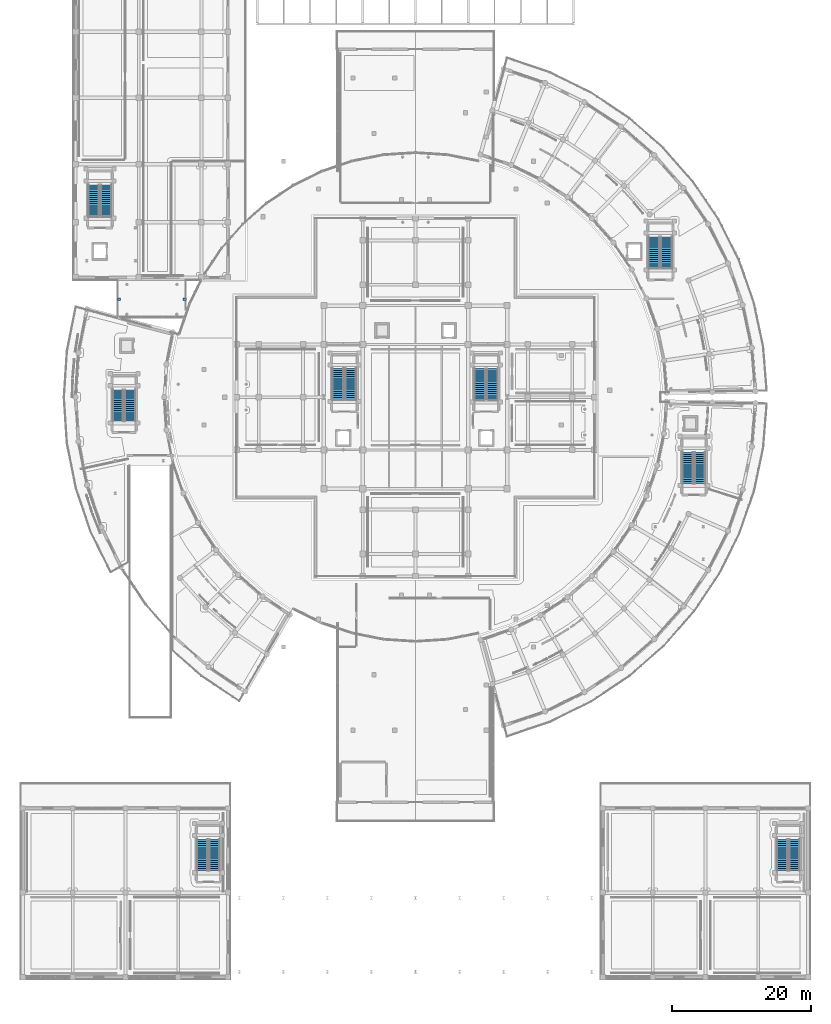
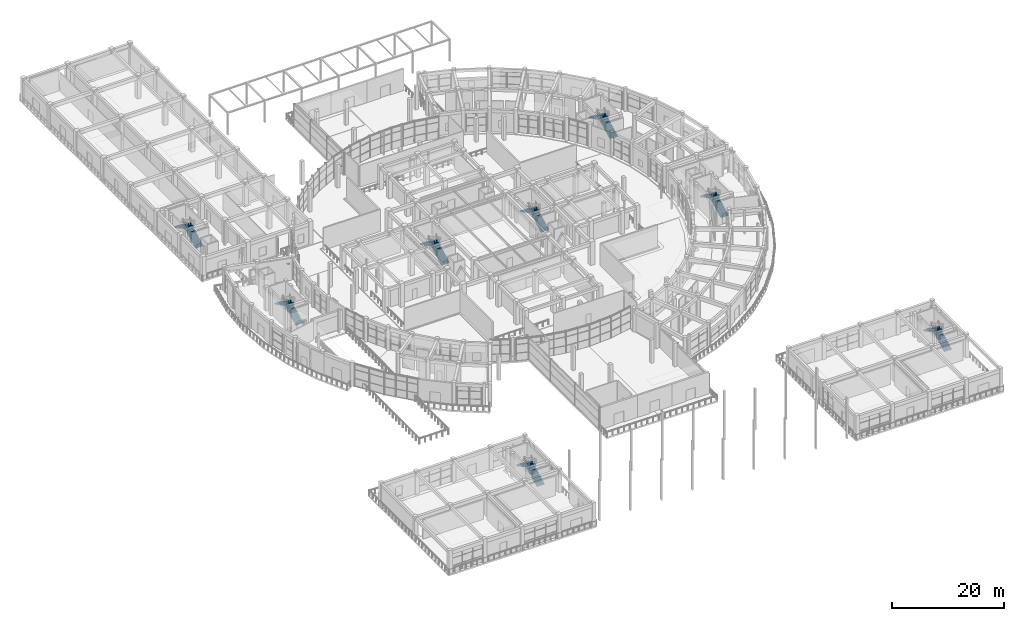
# One storey, part 76 of 99: 16 stair flights, 2 discrete accessories, 8 elements without a shape of their own.
"""IFC4 building model written with IfcOpenShell, lengths in metres."""

from ifc_helpers import new_model, si_unit, direction, frame, origin, origin_2d, place, context, subcontext, project, spatial, polyline, rectangle, outline, extrude, material, type_object, element, aggregate, save


model = new_model("IFC4")

# Units and contexts
model_context = context("Model", 3, precision=1e-05, world=origin(), true_north=direction((0.0, 1.0)))
body_context = subcontext(model_context, "Body", "Model", "MODEL_VIEW")
ifc_project = project(units=[si_unit("LENGTHUNIT", "METRE"), si_unit("AREAUNIT", "SQUARE_METRE"), si_unit("VOLUMEUNIT", "CUBIC_METRE"), si_unit("PLANEANGLEUNIT", "RADIAN"), si_unit("MASSUNIT", "GRAM", prefix="KILO")], contexts=[model_context])

# Site, building, storey
site_placement = place(None, origin())
site = spatial("IfcSite", under=ifc_project, at=site_placement, CompositionType="ELEMENT")
building_placement = place(site_placement, origin())
building = spatial("IfcBuilding", under=site, at=building_placement, Name="Saryqyr Civic Hall", CompositionType="ELEMENT")
storey_placement = place(building_placement, origin())
storey = spatial("IfcBuildingStorey", under=building, at=storey_placement, Name="L00", CompositionType="ELEMENT", Elevation=0.0)

# Stair, stair flights
ifc_material_1 = material(Name="Concrete C35/45", Category="concrete")
stair_type_1 = type_object("IfcStairType", Name="INT-STR-ST-1", PredefinedType="HALF_TURN_STAIR", material=ifc_material_1)
stair_1_placement = place(storey_placement, origin())
stair_1 = element("IfcStair", 1, at=stair_1_placement, inside=storey, type_object=stair_type_1, Name="L00 Protected Exit Stair ST-1", PredefinedType="HALF_TURN_STAIR")
stair_flight_type_1 = type_object("IfcStairFlightType", Name="INT-SFL-ST-1", PredefinedType="STRAIGHT", material=ifc_material_1)
stair_flight_1_placement = place(storey_placement, frame((47.675048828125, 83.64990234375, 0.0), z_axis=(0.0, 0.0, 1.0), x_axis=(0.0, 1.0, 0.0)))
stair_flight_1 = element("IfcStairFlight", 2, at=stair_flight_1_placement, type_object=stair_flight_type_1, Name="ST-1 flight 1", NumberOfRisers=16, NumberOfTreads=15, PredefinedType="STRAIGHT", RiserHeight=0.159375, TreadLength=0.3, context=body_context, shape_type="SweptSolid", body=[
    extrude(outline(polyline([(0.0, 0.0), (0.0, 0.159423828125), (0.300048828125, 0.159423828125), (0.300048828125, 0.31884765625), (0.60009765625, 0.31884765625), (0.60009765625, 0.47802734375), (0.89990234375, 0.47802734375), (0.89990234375, 0.637451171875), (1.199951171875, 0.637451171875), (1.199951171875, 0.796875), (1.5, 0.796875), (1.5, 0.956298828125), (1.800048828125, 0.956298828125), (1.800048828125, 1.11572265625), (2.10009765625, 1.11572265625), (2.10009765625, 1.27490234375), (2.39990234375, 1.27490234375), (2.39990234375, 1.434326171875), (2.699951171875, 1.434326171875), (2.699951171875, 1.59375), (3.0, 1.59375), (3.0, 1.753173828125), (3.300048828125, 1.753173828125), (3.300048828125, 1.91259765625), (3.60009765625, 1.91259765625), (3.60009765625, 2.07177734375), (3.89990234375, 2.07177734375), (3.89990234375, 2.231201171875), (4.199951171875, 2.231201171875), (4.199951171875, 2.390625), (4.5, 2.390625), (4.5, 2.550048828125), (4.5, 2.220947265625), (0.319580078125, 0.0), (0.0, 0.0)])), frame((0.0, 0.824951171875, 0.0), z_axis=(0.0, -1.0, 0.0), x_axis=(1.0, 0.0, 0.0)), (0.0, 0.0, 1.0), 1.64990234375),
])
stair_flight_2_placement = place(storey_placement, frame((45.824951171875, 88.14990234375, 2.550048828125), z_axis=(0.0, 0.0, 1.0), x_axis=(0.0, -1.0, 0.0)))
stair_flight_2 = element("IfcStairFlight", 3, at=stair_flight_2_placement, type_object=stair_flight_type_1, Name="ST-1 flight 2", NumberOfRisers=16, NumberOfTreads=15, PredefinedType="STRAIGHT", RiserHeight=0.159375, TreadLength=0.3, context=body_context, shape_type="SweptSolid", body=[
    extrude(outline(polyline([(0.0, 0.0), (0.0, 0.159423828125), (0.300048828125, 0.159423828125), (0.300048828125, 0.31884765625), (0.60009765625, 0.31884765625), (0.60009765625, 0.47802734375), (0.89990234375, 0.47802734375), (0.89990234375, 0.637451171875), (1.199951171875, 0.637451171875), (1.199951171875, 0.796875), (1.5, 0.796875), (1.5, 0.956298828125), (1.800048828125, 0.956298828125), (1.800048828125, 1.11572265625), (2.10009765625, 1.11572265625), (2.10009765625, 1.27490234375), (2.39990234375, 1.27490234375), (2.39990234375, 1.434326171875), (2.699951171875, 1.434326171875), (2.699951171875, 1.59375), (3.0, 1.59375), (3.0, 1.753173828125), (3.300048828125, 1.753173828125), (3.300048828125, 1.91259765625), (3.60009765625, 1.91259765625), (3.60009765625, 2.07177734375), (3.89990234375, 2.07177734375), (3.89990234375, 2.231201171875), (4.199951171875, 2.231201171875), (4.199951171875, 2.390625), (4.5, 2.390625), (4.5, 2.550048828125), (4.5, 2.220947265625), (0.319580078125, 0.0), (0.0, 0.0)])), frame((0.0, 0.824951171875, 0.0), z_axis=(0.0, -1.0, 0.0), x_axis=(1.0, 0.0, 0.0)), (0.0, 0.0, 1.0), 1.64990234375),
])
aggregate(stair_1, [stair_flight_1, stair_flight_2])

stair_type_2 = type_object("IfcStairType", Name="INT-STR-ST-2", PredefinedType="HALF_TURN_STAIR", material=ifc_material_1)
stair_2_placement = place(storey_placement, origin())
stair_2 = element("IfcStair", 4, at=stair_2_placement, inside=storey, type_object=stair_type_2, Name="L00 Protected Exit Stair ST-2", PredefinedType="HALF_TURN_STAIR")
stair_flight_type_2 = type_object("IfcStairFlightType", Name="INT-SFL-ST-2", PredefinedType="STRAIGHT", material=ifc_material_1)
stair_flight_3_placement = place(storey_placement, frame((68.10009765625, 83.60009765625, 0.0), z_axis=(0.0, 0.0, 1.0), x_axis=(0.0, 1.0, 0.0)))
stair_flight_3 = element("IfcStairFlight", 5, at=stair_flight_3_placement, type_object=stair_flight_type_2, Name="ST-2 flight 1", NumberOfRisers=16, NumberOfTreads=15, PredefinedType="STRAIGHT", RiserHeight=0.159375, TreadLength=0.3, context=body_context, shape_type="SweptSolid", body=[
    extrude(outline(polyline([(0.0, 0.0), (0.0, 0.159423828125), (0.300048828125, 0.159423828125), (0.300048828125, 0.31884765625), (0.60009765625, 0.31884765625), (0.60009765625, 0.47802734375), (0.89990234375, 0.47802734375), (0.89990234375, 0.637451171875), (1.199951171875, 0.637451171875), (1.199951171875, 0.796875), (1.5, 0.796875), (1.5, 0.956298828125), (1.800048828125, 0.956298828125), (1.800048828125, 1.11572265625), (2.10009765625, 1.11572265625), (2.10009765625, 1.27490234375), (2.39990234375, 1.27490234375), (2.39990234375, 1.434326171875), (2.699951171875, 1.434326171875), (2.699951171875, 1.59375), (3.0, 1.59375), (3.0, 1.753173828125), (3.300048828125, 1.753173828125), (3.300048828125, 1.91259765625), (3.60009765625, 1.91259765625), (3.60009765625, 2.07177734375), (3.89990234375, 2.07177734375), (3.89990234375, 2.231201171875), (4.199951171875, 2.231201171875), (4.199951171875, 2.390625), (4.5, 2.390625), (4.5, 2.550048828125), (4.5, 2.220947265625), (0.319580078125, 0.0), (0.0, 0.0)])), frame((0.0, 0.800048828125, 0.0), z_axis=(0.0, -1.0, 0.0), x_axis=(1.0, 0.0, 0.0)), (0.0, 0.0, 1.0), 1.60009765625),
])
stair_flight_4_placement = place(storey_placement, frame((66.300048828125, 88.10009765625, 2.550048828125), z_axis=(0.0, 0.0, 1.0), x_axis=(0.0, -1.0, 0.0)))
stair_flight_4 = element("IfcStairFlight", 6, at=stair_flight_4_placement, type_object=stair_flight_type_2, Name="ST-2 flight 2", NumberOfRisers=16, NumberOfTreads=15, PredefinedType="STRAIGHT", RiserHeight=0.159375, TreadLength=0.3, context=body_context, shape_type="SweptSolid", body=[
    extrude(outline(polyline([(0.0, 0.0), (0.0, 0.159423828125), (0.300048828125, 0.159423828125), (0.300048828125, 0.31884765625), (0.60009765625, 0.31884765625), (0.60009765625, 0.47802734375), (0.89990234375, 0.47802734375), (0.89990234375, 0.637451171875), (1.199951171875, 0.637451171875), (1.199951171875, 0.796875), (1.5, 0.796875), (1.5, 0.956298828125), (1.800048828125, 0.956298828125), (1.800048828125, 1.11572265625), (2.10009765625, 1.11572265625), (2.10009765625, 1.27490234375), (2.39990234375, 1.27490234375), (2.39990234375, 1.434326171875), (2.699951171875, 1.434326171875), (2.699951171875, 1.59375), (3.0, 1.59375), (3.0, 1.753173828125), (3.300048828125, 1.753173828125), (3.300048828125, 1.91259765625), (3.60009765625, 1.91259765625), (3.60009765625, 2.07177734375), (3.89990234375, 2.07177734375), (3.89990234375, 2.231201171875), (4.199951171875, 2.231201171875), (4.199951171875, 2.390625), (4.5, 2.390625), (4.5, 2.550048828125), (4.5, 2.220947265625), (0.319580078125, 0.0), (0.0, 0.0)])), frame((0.0, 0.800048828125, 0.0), z_axis=(0.0, -1.0, 0.0), x_axis=(1.0, 0.0, 0.0)), (0.0, 0.0, 1.0), 1.60009765625),
])
aggregate(stair_2, [stair_flight_3, stair_flight_4])

stair_type_3 = type_object("IfcStairType", Name="INT-STR-ST-3", PredefinedType="HALF_TURN_STAIR", material=ifc_material_1)
stair_3_placement = place(storey_placement, origin())
stair_3 = element("IfcStair", 7, at=stair_3_placement, inside=storey, type_object=stair_type_3, Name="L00 Protected Exit Stair ST-3", PredefinedType="HALF_TURN_STAIR")
stair_flight_type_3 = type_object("IfcStairFlightType", Name="INT-SFL-ST-3", PredefinedType="STRAIGHT", material=ifc_material_1)
stair_flight_5_placement = place(storey_placement, frame((12.409912109375, 110.080078125, 0.0), z_axis=(0.0, 0.0, 1.0), x_axis=(0.0, 1.0, 0.0)))
stair_flight_5 = element("IfcStairFlight", 8, at=stair_flight_5_placement, type_object=stair_flight_type_3, Name="ST-3 flight 1", NumberOfRisers=16, NumberOfTreads=15, PredefinedType="STRAIGHT", RiserHeight=0.159375, TreadLength=0.3, context=body_context, shape_type="SweptSolid", body=[
    extrude(outline(polyline([(0.0, 0.0), (0.0, 0.159423828125), (0.300048828125, 0.159423828125), (0.300048828125, 0.31884765625), (0.60009765625, 0.31884765625), (0.60009765625, 0.47802734375), (0.89990234375, 0.47802734375), (0.89990234375, 0.637451171875), (1.199951171875, 0.637451171875), (1.199951171875, 0.796875), (1.5, 0.796875), (1.5, 0.956298828125), (1.800048828125, 0.956298828125), (1.800048828125, 1.11572265625), (2.10009765625, 1.11572265625), (2.10009765625, 1.27490234375), (2.39990234375, 1.27490234375), (2.39990234375, 1.434326171875), (2.699951171875, 1.434326171875), (2.699951171875, 1.59375), (3.0, 1.59375), (3.0, 1.753173828125), (3.300048828125, 1.753173828125), (3.300048828125, 1.91259765625), (3.60009765625, 1.91259765625), (3.60009765625, 2.07177734375), (3.89990234375, 2.07177734375), (3.89990234375, 2.231201171875), (4.199951171875, 2.231201171875), (4.199951171875, 2.390625), (4.5, 2.390625), (4.5, 2.550048828125), (4.5, 2.220947265625), (0.319580078125, 0.0), (0.0, 0.0)])), frame((0.0, 0.7900390625, 0.0), z_axis=(0.0, -1.0, 0.0), x_axis=(1.0, 0.0, 0.0)), (0.0, 0.0, 1.0), 1.580078125),
])
stair_flight_6_placement = place(storey_placement, frame((10.6298828125, 114.580078125, 2.550048828125), z_axis=(0.0, 0.0, 1.0), x_axis=(0.0, -1.0, 0.0)))
stair_flight_6 = element("IfcStairFlight", 9, at=stair_flight_6_placement, type_object=stair_flight_type_3, Name="ST-3 flight 2", NumberOfRisers=16, NumberOfTreads=15, PredefinedType="STRAIGHT", RiserHeight=0.159375, TreadLength=0.3, context=body_context, shape_type="SweptSolid", body=[
    extrude(outline(polyline([(0.0, 0.0), (0.0, 0.159423828125), (0.300048828125, 0.159423828125), (0.300048828125, 0.31884765625), (0.60009765625, 0.31884765625), (0.60009765625, 0.47802734375), (0.89990234375, 0.47802734375), (0.89990234375, 0.637451171875), (1.199951171875, 0.637451171875), (1.199951171875, 0.796875), (1.5, 0.796875), (1.5, 0.956298828125), (1.800048828125, 0.956298828125), (1.800048828125, 1.11572265625), (2.10009765625, 1.11572265625), (2.10009765625, 1.27490234375), (2.39990234375, 1.27490234375), (2.39990234375, 1.434326171875), (2.699951171875, 1.434326171875), (2.699951171875, 1.59375), (3.0, 1.59375), (3.0, 1.753173828125), (3.300048828125, 1.753173828125), (3.300048828125, 1.91259765625), (3.60009765625, 1.91259765625), (3.60009765625, 2.07177734375), (3.89990234375, 2.07177734375), (3.89990234375, 2.231201171875), (4.199951171875, 2.231201171875), (4.199951171875, 2.390625), (4.5, 2.390625), (4.5, 2.550048828125), (4.5, 2.220947265625), (0.319580078125, 0.0), (0.0, 0.0)])), frame((0.0, 0.7900390625, 0.0), z_axis=(0.0, -1.0, 0.0), x_axis=(1.0, 0.0, 0.0)), (0.0, 0.0, 1.0), 1.580078125),
])
aggregate(stair_3, [stair_flight_5, stair_flight_6])

stair_type_4 = type_object("IfcStairType", Name="INT-STR-ST-4", PredefinedType="HALF_TURN_STAIR", material=ifc_material_1)
stair_4_placement = place(storey_placement, origin())
stair_4 = element("IfcStair", 10, at=stair_4_placement, inside=storey, type_object=stair_type_4, Name="L00 Protected Exit Stair ST-4", PredefinedType="HALF_TURN_STAIR")
stair_flight_type_4 = type_object("IfcStairFlightType", Name="INT-SFL-ST-4", PredefinedType="STRAIGHT", material=ifc_material_1)
stair_flight_7_placement = place(storey_placement, frame((15.875, 80.550048828125, 0.0), z_axis=(0.0, 0.0, 1.0), x_axis=(0.0, 1.0, 0.0)))
stair_flight_7 = element("IfcStairFlight", 11, at=stair_flight_7_placement, type_object=stair_flight_type_4, Name="ST-4 flight 1", NumberOfRisers=16, NumberOfTreads=15, PredefinedType="STRAIGHT", RiserHeight=0.159375, TreadLength=0.3, context=body_context, shape_type="SweptSolid", body=[
    extrude(outline(polyline([(0.0, 0.0), (0.0, 0.159423828125), (0.300048828125, 0.159423828125), (0.300048828125, 0.31884765625), (0.60009765625, 0.31884765625), (0.60009765625, 0.47802734375), (0.89990234375, 0.47802734375), (0.89990234375, 0.637451171875), (1.199951171875, 0.637451171875), (1.199951171875, 0.796875), (1.5, 0.796875), (1.5, 0.956298828125), (1.800048828125, 0.956298828125), (1.800048828125, 1.11572265625), (2.10009765625, 1.11572265625), (2.10009765625, 1.27490234375), (2.39990234375, 1.27490234375), (2.39990234375, 1.434326171875), (2.699951171875, 1.434326171875), (2.699951171875, 1.59375), (3.0, 1.59375), (3.0, 1.753173828125), (3.300048828125, 1.753173828125), (3.300048828125, 1.91259765625), (3.60009765625, 1.91259765625), (3.60009765625, 2.07177734375), (3.89990234375, 2.07177734375), (3.89990234375, 2.231201171875), (4.199951171875, 2.231201171875), (4.199951171875, 2.390625), (4.5, 2.390625), (4.5, 2.550048828125), (4.5, 2.220947265625), (0.319580078125, 0.0), (0.0, 0.0)])), frame((0.0, 0.77490234375, 0.0), z_axis=(0.0, -1.0, 0.0), x_axis=(1.0, 0.0, 0.0)), (0.0, 0.0, 1.0), 1.550048828125),
])
stair_flight_8_placement = place(storey_placement, frame((14.125, 85.050048828125, 2.550048828125), z_axis=(0.0, 0.0, 1.0), x_axis=(0.0, -1.0, 0.0)))
stair_flight_8 = element("IfcStairFlight", 12, at=stair_flight_8_placement, type_object=stair_flight_type_4, Name="ST-4 flight 2", NumberOfRisers=16, NumberOfTreads=15, PredefinedType="STRAIGHT", RiserHeight=0.159375, TreadLength=0.3, context=body_context, shape_type="SweptSolid", body=[
    extrude(outline(polyline([(0.0, 0.0), (0.0, 0.159423828125), (0.300048828125, 0.159423828125), (0.300048828125, 0.31884765625), (0.60009765625, 0.31884765625), (0.60009765625, 0.47802734375), (0.89990234375, 0.47802734375), (0.89990234375, 0.637451171875), (1.199951171875, 0.637451171875), (1.199951171875, 0.796875), (1.5, 0.796875), (1.5, 0.956298828125), (1.800048828125, 0.956298828125), (1.800048828125, 1.11572265625), (2.10009765625, 1.11572265625), (2.10009765625, 1.27490234375), (2.39990234375, 1.27490234375), (2.39990234375, 1.434326171875), (2.699951171875, 1.434326171875), (2.699951171875, 1.59375), (3.0, 1.59375), (3.0, 1.753173828125), (3.300048828125, 1.753173828125), (3.300048828125, 1.91259765625), (3.60009765625, 1.91259765625), (3.60009765625, 2.07177734375), (3.89990234375, 2.07177734375), (3.89990234375, 2.231201171875), (4.199951171875, 2.231201171875), (4.199951171875, 2.390625), (4.5, 2.390625), (4.5, 2.550048828125), (4.5, 2.220947265625), (0.319580078125, 0.0), (0.0, 0.0)])), frame((0.0, 0.77490234375, 0.0), z_axis=(0.0, -1.0, 0.0), x_axis=(1.0, 0.0, 0.0)), (0.0, 0.0, 1.0), 1.550048828125),
])
aggregate(stair_4, [stair_flight_7, stair_flight_8])

stair_type_5 = type_object("IfcStairType", Name="INT-STR-ST-5", PredefinedType="HALF_TURN_STAIR", material=ifc_material_1)
stair_5_placement = place(storey_placement, origin())
stair_5 = element("IfcStair", 13, at=stair_5_placement, inside=storey, type_object=stair_type_5, Name="L00 Protected Exit Stair ST-5", PredefinedType="HALF_TURN_STAIR")
stair_flight_type_5 = type_object("IfcStairFlightType", Name="INT-SFL-ST-5", PredefinedType="STRAIGHT", material=ifc_material_1)
stair_flight_9_placement = place(storey_placement, frame((98.02001953125, 71.56005859375, 0.0), z_axis=(0.0, 0.0, 1.0), x_axis=(0.0, 1.0, 0.0)))
stair_flight_9 = element("IfcStairFlight", 14, at=stair_flight_9_placement, type_object=stair_flight_type_5, Name="ST-5 flight 1", NumberOfRisers=16, NumberOfTreads=15, PredefinedType="STRAIGHT", RiserHeight=0.159375, TreadLength=0.3, context=body_context, shape_type="SweptSolid", body=[
    extrude(outline(polyline([(0.0, 0.0), (0.0, 0.159423828125), (0.300048828125, 0.159423828125), (0.300048828125, 0.31884765625), (0.60009765625, 0.31884765625), (0.60009765625, 0.47802734375), (0.89990234375, 0.47802734375), (0.89990234375, 0.637451171875), (1.199951171875, 0.637451171875), (1.199951171875, 0.796875), (1.5, 0.796875), (1.5, 0.956298828125), (1.800048828125, 0.956298828125), (1.800048828125, 1.11572265625), (2.10009765625, 1.11572265625), (2.10009765625, 1.27490234375), (2.39990234375, 1.27490234375), (2.39990234375, 1.434326171875), (2.699951171875, 1.434326171875), (2.699951171875, 1.59375), (3.0, 1.59375), (3.0, 1.753173828125), (3.300048828125, 1.753173828125), (3.300048828125, 1.91259765625), (3.60009765625, 1.91259765625), (3.60009765625, 2.07177734375), (3.89990234375, 2.07177734375), (3.89990234375, 2.231201171875), (4.199951171875, 2.231201171875), (4.199951171875, 2.390625), (4.5, 2.390625), (4.5, 2.550048828125), (4.5, 2.220947265625), (0.319580078125, 0.0), (0.0, 0.0)])), frame((0.0, 0.780029296875, 0.0), z_axis=(0.0, -1.0, 0.0), x_axis=(1.0, 0.0, 0.0)), (0.0, 0.0, 1.0), 1.56005859375),
])
stair_flight_10_placement = place(storey_placement, frame((96.260009765625, 76.06005859375, 2.550048828125), z_axis=(0.0, 0.0, 1.0), x_axis=(0.0, -1.0, 0.0)))
stair_flight_10 = element("IfcStairFlight", 15, at=stair_flight_10_placement, type_object=stair_flight_type_5, Name="ST-5 flight 2", NumberOfRisers=16, NumberOfTreads=15, PredefinedType="STRAIGHT", RiserHeight=0.159375, TreadLength=0.3, context=body_context, shape_type="SweptSolid", body=[
    extrude(outline(polyline([(0.0, 0.0), (0.0, 0.159423828125), (0.300048828125, 0.159423828125), (0.300048828125, 0.31884765625), (0.60009765625, 0.31884765625), (0.60009765625, 0.47802734375), (0.89990234375, 0.47802734375), (0.89990234375, 0.637451171875), (1.199951171875, 0.637451171875), (1.199951171875, 0.796875), (1.5, 0.796875), (1.5, 0.956298828125), (1.800048828125, 0.956298828125), (1.800048828125, 1.11572265625), (2.10009765625, 1.11572265625), (2.10009765625, 1.27490234375), (2.39990234375, 1.27490234375), (2.39990234375, 1.434326171875), (2.699951171875, 1.434326171875), (2.699951171875, 1.59375), (3.0, 1.59375), (3.0, 1.753173828125), (3.300048828125, 1.753173828125), (3.300048828125, 1.91259765625), (3.60009765625, 1.91259765625), (3.60009765625, 2.07177734375), (3.89990234375, 2.07177734375), (3.89990234375, 2.231201171875), (4.199951171875, 2.231201171875), (4.199951171875, 2.390625), (4.5, 2.390625), (4.5, 2.550048828125), (4.5, 2.220947265625), (0.319580078125, 0.0), (0.0, 0.0)])), frame((0.0, 0.780029296875, 0.0), z_axis=(0.0, -1.0, 0.0), x_axis=(1.0, 0.0, 0.0)), (0.0, 0.0, 1.0), 1.56005859375),
])
aggregate(stair_5, [stair_flight_9, stair_flight_10])

stair_type_6 = type_object("IfcStairType", Name="INT-STR-ST-6", PredefinedType="HALF_TURN_STAIR", material=ifc_material_1)
stair_6_placement = place(storey_placement, origin())
stair_6 = element("IfcStair", 16, at=stair_6_placement, inside=storey, type_object=stair_type_6, Name="L00 Protected Exit Stair ST-6", PredefinedType="HALF_TURN_STAIR")
stair_flight_type_6 = type_object("IfcStairFlightType", Name="INT-SFL-ST-6", PredefinedType="STRAIGHT", material=ifc_material_1)
stair_flight_11_placement = place(storey_placement, frame((93.18994140625, 102.6201171875, 0.0), z_axis=(0.0, 0.0, 1.0), x_axis=(0.0, 1.0, 0.0)))
stair_flight_11 = element("IfcStairFlight", 17, at=stair_flight_11_placement, type_object=stair_flight_type_6, Name="ST-6 flight 1", NumberOfRisers=16, NumberOfTreads=15, PredefinedType="STRAIGHT", RiserHeight=0.159375, TreadLength=0.3, context=body_context, shape_type="SweptSolid", body=[
    extrude(outline(polyline([(0.0, 0.0), (0.0, 0.159423828125), (0.300048828125, 0.159423828125), (0.300048828125, 0.31884765625), (0.60009765625, 0.31884765625), (0.60009765625, 0.47802734375), (0.89990234375, 0.47802734375), (0.89990234375, 0.637451171875), (1.199951171875, 0.637451171875), (1.199951171875, 0.796875), (1.5, 0.796875), (1.5, 0.956298828125), (1.800048828125, 0.956298828125), (1.800048828125, 1.11572265625), (2.10009765625, 1.11572265625), (2.10009765625, 1.27490234375), (2.39990234375, 1.27490234375), (2.39990234375, 1.434326171875), (2.699951171875, 1.434326171875), (2.699951171875, 1.59375), (3.0, 1.59375), (3.0, 1.753173828125), (3.300048828125, 1.753173828125), (3.300048828125, 1.91259765625), (3.60009765625, 1.91259765625), (3.60009765625, 2.07177734375), (3.89990234375, 2.07177734375), (3.89990234375, 2.231201171875), (4.199951171875, 2.231201171875), (4.199951171875, 2.390625), (4.5, 2.390625), (4.5, 2.550048828125), (4.5, 2.220947265625), (0.319580078125, 0.0), (0.0, 0.0)])), frame((0.0, 0.81005859375, 0.0), z_axis=(0.0, -1.0, 0.0), x_axis=(1.0, 0.0, 0.0)), (0.0, 0.0, 1.0), 1.6201171875),
])
stair_flight_12_placement = place(storey_placement, frame((91.3701171875, 107.1201171875, 2.550048828125), z_axis=(0.0, 0.0, 1.0), x_axis=(0.0, -1.0, 0.0)))
stair_flight_12 = element("IfcStairFlight", 18, at=stair_flight_12_placement, type_object=stair_flight_type_6, Name="ST-6 flight 2", NumberOfRisers=16, NumberOfTreads=15, PredefinedType="STRAIGHT", RiserHeight=0.159375, TreadLength=0.3, context=body_context, shape_type="SweptSolid", body=[
    extrude(outline(polyline([(0.0, 0.0), (0.0, 0.159423828125), (0.300048828125, 0.159423828125), (0.300048828125, 0.31884765625), (0.60009765625, 0.31884765625), (0.60009765625, 0.47802734375), (0.89990234375, 0.47802734375), (0.89990234375, 0.637451171875), (1.199951171875, 0.637451171875), (1.199951171875, 0.796875), (1.5, 0.796875), (1.5, 0.956298828125), (1.800048828125, 0.956298828125), (1.800048828125, 1.11572265625), (2.10009765625, 1.11572265625), (2.10009765625, 1.27490234375), (2.39990234375, 1.27490234375), (2.39990234375, 1.434326171875), (2.699951171875, 1.434326171875), (2.699951171875, 1.59375), (3.0, 1.59375), (3.0, 1.753173828125), (3.300048828125, 1.753173828125), (3.300048828125, 1.91259765625), (3.60009765625, 1.91259765625), (3.60009765625, 2.07177734375), (3.89990234375, 2.07177734375), (3.89990234375, 2.231201171875), (4.199951171875, 2.231201171875), (4.199951171875, 2.390625), (4.5, 2.390625), (4.5, 2.550048828125), (4.5, 2.220947265625), (0.319580078125, 0.0), (0.0, 0.0)])), frame((0.0, 0.81005859375, 0.0), z_axis=(0.0, -1.0, 0.0), x_axis=(1.0, 0.0, 0.0)), (0.0, 0.0, 1.0), 1.6201171875),
])
aggregate(stair_6, [stair_flight_11, stair_flight_12])

stair_type_7 = type_object("IfcStairType", Name="INT-STR-ST-7", PredefinedType="HALF_TURN_STAIR", material=ifc_material_1)
stair_7_placement = place(storey_placement, origin())
stair_7 = element("IfcStair", 19, at=stair_7_placement, inside=storey, type_object=stair_type_7, Name="L00 Protected Exit Stair ST-7", PredefinedType="HALF_TURN_STAIR")
stair_flight_type_7 = type_object("IfcStairFlightType", Name="INT-SFL-ST-7", PredefinedType="STRAIGHT", material=ifc_material_1)
stair_flight_13_placement = place(storey_placement, frame((28.02490234375, 15.75, 0.0), z_axis=(0.0, 0.0, 1.0), x_axis=(0.0, 1.0, 0.0)))
stair_flight_13 = element("IfcStairFlight", 20, at=stair_flight_13_placement, type_object=stair_flight_type_7, Name="ST-7 flight 1", NumberOfRisers=16, NumberOfTreads=15, PredefinedType="STRAIGHT", RiserHeight=0.159375, TreadLength=0.3, context=body_context, shape_type="SweptSolid", body=[
    extrude(outline(polyline([(0.0, 0.0), (0.0, 0.159423828125), (0.300048828125, 0.159423828125), (0.300048828125, 0.31884765625), (0.60009765625, 0.31884765625), (0.60009765625, 0.47802734375), (0.89990234375, 0.47802734375), (0.89990234375, 0.637451171875), (1.199951171875, 0.637451171875), (1.199951171875, 0.796875), (1.5, 0.796875), (1.5, 0.956298828125), (1.800048828125, 0.956298828125), (1.800048828125, 1.11572265625), (2.10009765625, 1.11572265625), (2.10009765625, 1.27490234375), (2.39990234375, 1.27490234375), (2.39990234375, 1.434326171875), (2.699951171875, 1.434326171875), (2.699951171875, 1.59375), (3.0, 1.59375), (3.0, 1.753173828125), (3.300048828125, 1.753173828125), (3.300048828125, 1.91259765625), (3.60009765625, 1.91259765625), (3.60009765625, 2.07177734375), (3.89990234375, 2.07177734375), (3.89990234375, 2.231201171875), (4.199951171875, 2.231201171875), (4.199951171875, 2.390625), (4.5, 2.390625), (4.5, 2.550048828125), (4.5, 2.220947265625), (0.319580078125, 0.0), (0.0, 0.0)])), frame((0.0, 0.77490234375, 0.0), z_axis=(0.0, -1.0, 0.0), x_axis=(1.0, 0.0, 0.0)), (0.0, 0.0, 1.0), 1.550048828125),
])
stair_flight_14_placement = place(storey_placement, frame((26.27490234375, 20.25, 2.550048828125), z_axis=(0.0, 0.0, 1.0), x_axis=(0.0, -1.0, 0.0)))
stair_flight_14 = element("IfcStairFlight", 21, at=stair_flight_14_placement, type_object=stair_flight_type_7, Name="ST-7 flight 2", NumberOfRisers=16, NumberOfTreads=15, PredefinedType="STRAIGHT", RiserHeight=0.159375, TreadLength=0.3, context=body_context, shape_type="SweptSolid", body=[
    extrude(outline(polyline([(0.0, 0.0), (0.0, 0.159423828125), (0.300048828125, 0.159423828125), (0.300048828125, 0.31884765625), (0.60009765625, 0.31884765625), (0.60009765625, 0.47802734375), (0.89990234375, 0.47802734375), (0.89990234375, 0.637451171875), (1.199951171875, 0.637451171875), (1.199951171875, 0.796875), (1.5, 0.796875), (1.5, 0.956298828125), (1.800048828125, 0.956298828125), (1.800048828125, 1.11572265625), (2.10009765625, 1.11572265625), (2.10009765625, 1.27490234375), (2.39990234375, 1.27490234375), (2.39990234375, 1.434326171875), (2.699951171875, 1.434326171875), (2.699951171875, 1.59375), (3.0, 1.59375), (3.0, 1.753173828125), (3.300048828125, 1.753173828125), (3.300048828125, 1.91259765625), (3.60009765625, 1.91259765625), (3.60009765625, 2.07177734375), (3.89990234375, 2.07177734375), (3.89990234375, 2.231201171875), (4.199951171875, 2.231201171875), (4.199951171875, 2.390625), (4.5, 2.390625), (4.5, 2.550048828125), (4.5, 2.220947265625), (0.319580078125, 0.0), (0.0, 0.0)])), frame((0.0, 0.77490234375, 0.0), z_axis=(0.0, -1.0, 0.0), x_axis=(1.0, 0.0, 0.0)), (0.0, 0.0, 1.0), 1.550048828125),
])
aggregate(stair_7, [stair_flight_13, stair_flight_14])

stair_type_8 = type_object("IfcStairType", Name="INT-STR-ST-8", PredefinedType="HALF_TURN_STAIR", material=ifc_material_1)
stair_8_placement = place(storey_placement, origin())
stair_8 = element("IfcStair", 22, at=stair_8_placement, inside=storey, type_object=stair_type_8, Name="L00 Protected Exit Stair ST-8", PredefinedType="HALF_TURN_STAIR")
stair_flight_type_8 = type_object("IfcStairFlightType", Name="INT-SFL-ST-8", PredefinedType="STRAIGHT", material=ifc_material_1)
stair_flight_15_placement = place(storey_placement, frame((111.625, 15.75, 0.0), z_axis=(0.0, 0.0, 1.0), x_axis=(0.0, 1.0, 0.0)))
stair_flight_15 = element("IfcStairFlight", 23, at=stair_flight_15_placement, type_object=stair_flight_type_8, Name="ST-8 flight 1", NumberOfRisers=16, NumberOfTreads=15, PredefinedType="STRAIGHT", RiserHeight=0.159375, TreadLength=0.3, context=body_context, shape_type="SweptSolid", body=[
    extrude(outline(polyline([(0.0, 0.0), (0.0, 0.159423828125), (0.300048828125, 0.159423828125), (0.300048828125, 0.31884765625), (0.60009765625, 0.31884765625), (0.60009765625, 0.47802734375), (0.89990234375, 0.47802734375), (0.89990234375, 0.637451171875), (1.199951171875, 0.637451171875), (1.199951171875, 0.796875), (1.5, 0.796875), (1.5, 0.956298828125), (1.800048828125, 0.956298828125), (1.800048828125, 1.11572265625), (2.10009765625, 1.11572265625), (2.10009765625, 1.27490234375), (2.39990234375, 1.27490234375), (2.39990234375, 1.434326171875), (2.699951171875, 1.434326171875), (2.699951171875, 1.59375), (3.0, 1.59375), (3.0, 1.753173828125), (3.300048828125, 1.753173828125), (3.300048828125, 1.91259765625), (3.60009765625, 1.91259765625), (3.60009765625, 2.07177734375), (3.89990234375, 2.07177734375), (3.89990234375, 2.231201171875), (4.199951171875, 2.231201171875), (4.199951171875, 2.390625), (4.5, 2.390625), (4.5, 2.550048828125), (4.5, 2.220947265625), (0.319580078125, 0.0), (0.0, 0.0)])), frame((0.0, 0.77490234375, 0.0), z_axis=(0.0, -1.0, 0.0), x_axis=(1.0, 0.0, 0.0)), (0.0, 0.0, 1.0), 1.550048828125),
])
stair_flight_16_placement = place(storey_placement, frame((109.875, 20.25, 2.550048828125), z_axis=(0.0, 0.0, 1.0), x_axis=(0.0, -1.0, 0.0)))
stair_flight_16 = element("IfcStairFlight", 24, at=stair_flight_16_placement, type_object=stair_flight_type_8, Name="ST-8 flight 2", NumberOfRisers=16, NumberOfTreads=15, PredefinedType="STRAIGHT", RiserHeight=0.159375, TreadLength=0.3, context=body_context, shape_type="SweptSolid", body=[
    extrude(outline(polyline([(0.0, 0.0), (0.0, 0.159423828125), (0.300048828125, 0.159423828125), (0.300048828125, 0.31884765625), (0.60009765625, 0.31884765625), (0.60009765625, 0.47802734375), (0.89990234375, 0.47802734375), (0.89990234375, 0.637451171875), (1.199951171875, 0.637451171875), (1.199951171875, 0.796875), (1.5, 0.796875), (1.5, 0.956298828125), (1.800048828125, 0.956298828125), (1.800048828125, 1.11572265625), (2.10009765625, 1.11572265625), (2.10009765625, 1.27490234375), (2.39990234375, 1.27490234375), (2.39990234375, 1.434326171875), (2.699951171875, 1.434326171875), (2.699951171875, 1.59375), (3.0, 1.59375), (3.0, 1.753173828125), (3.300048828125, 1.753173828125), (3.300048828125, 1.91259765625), (3.60009765625, 1.91259765625), (3.60009765625, 2.07177734375), (3.89990234375, 2.07177734375), (3.89990234375, 2.231201171875), (4.199951171875, 2.231201171875), (4.199951171875, 2.390625), (4.5, 2.390625), (4.5, 2.550048828125), (4.5, 2.220947265625), (0.319580078125, 0.0), (0.0, 0.0)])), frame((0.0, 0.77490234375, 0.0), z_axis=(0.0, -1.0, 0.0), x_axis=(1.0, 0.0, 0.0)), (0.0, 0.0, 1.0), 1.550048828125),
])
aggregate(stair_8, [stair_flight_15, stair_flight_16])

# Discrete accessories
ifc_material_2 = material(Name="Steel S355", Category="steel")
discrete_accessory_type = type_object("IfcDiscreteAccessoryType", Name="STR-ACC-PTFE-BRG", PredefinedType="BRACKET", material=ifc_material_2)
for number, where, z_axis, x_axis, name in (
    (25, (14.25, 98.10009765625, -0.35986328125), (0.0, 0.0, 1.0), (1.0, 0.0, 0.0), "Unguided PTFE sliding bridge bearing BR-NW L00 1"),
    (26, (23.75, 98.10009765625, -0.35986328125), (0.0, 0.0, 1.0), (1.0, 0.0, 0.0), "Unguided PTFE sliding bridge bearing BR-NW L00 2"),
):
    element("IfcDiscreteAccessory", number, at=place(storey_placement, frame(where, z_axis=z_axis, x_axis=x_axis)), inside=storey, type_object=discrete_accessory_type, Name=name, PredefinedType="BRACKET", context=body_context, shape_type="SweptSolid", body=[
        extrude(rectangle(XDim=0.449951171875, YDim=0.35009765625, at=origin_2d()), origin(), (0.0, 0.0, 1.0), 0.139892578125),
    ])

save(model, "model.ifc")
